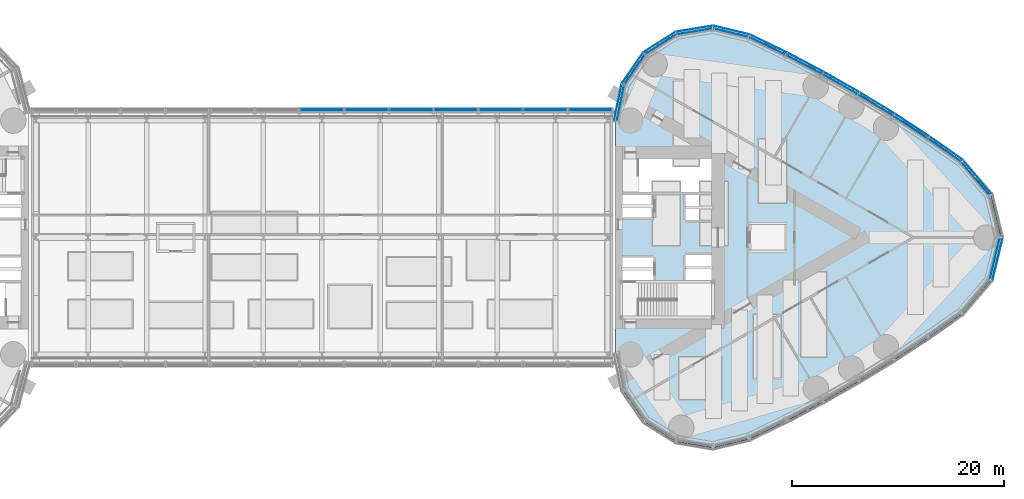
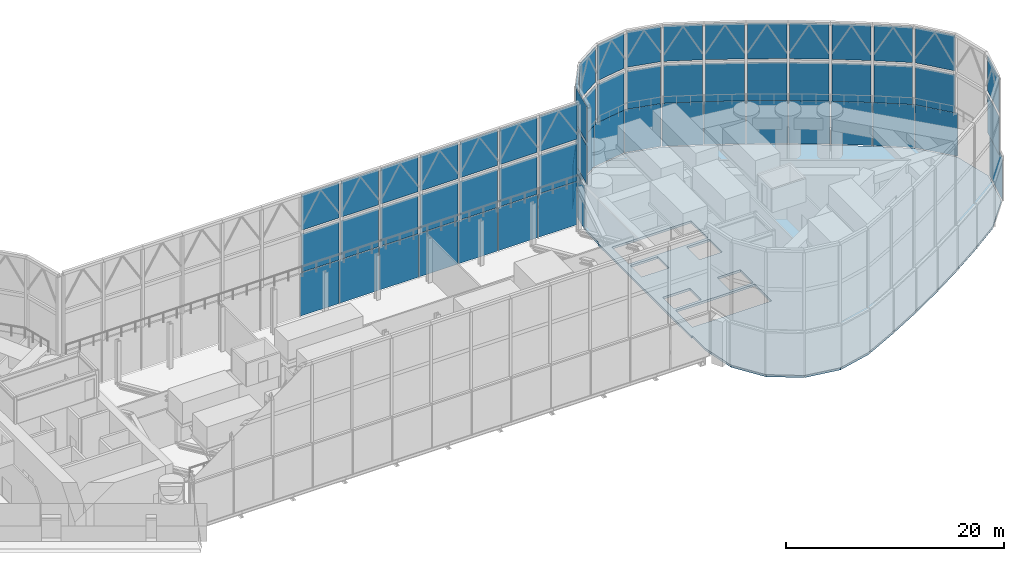
# One storey, part 25 of 33: 60 plates, 1 slab, 4 elements without a shape of their own.
"""IFC4 building model written with IfcOpenShell, lengths in metres."""

from ifc_helpers import new_model, si_unit, direction, frame, origin, origin_2d, place, context, subcontext, project, spatial, polyline, rectangle, outline, extrude, material, layer, layer_set, type_object, element, aggregate, save


model = new_model("IFC4")

# Units and contexts
model_context = context("Model", 3, precision=1e-05, world=origin(), true_north=direction((0.0, 1.0)))
body_context = subcontext(model_context, "Body", "Model", "MODEL_VIEW")
ifc_project = project(units=[si_unit("LENGTHUNIT", "METRE"), si_unit("AREAUNIT", "SQUARE_METRE"), si_unit("VOLUMEUNIT", "CUBIC_METRE"), si_unit("PLANEANGLEUNIT", "RADIAN"), si_unit("MASSUNIT", "GRAM", prefix="KILO")], contexts=[model_context])

# Site, building, storey
site_placement = place(None, origin())
site = spatial("IfcSite", under=ifc_project, at=site_placement, CompositionType="ELEMENT")
building_placement = place(site_placement, origin())
building = spatial("IfcBuilding", under=site, at=building_placement, Name="Lancet Gate Hotel", CompositionType="ELEMENT")
storey_placement = place(building_placement, frame((0.0, 0.0, 268.300048828125)))
storey = spatial("IfcBuildingStorey", under=building, at=storey_placement, Name="L70", CompositionType="ELEMENT", Elevation=268.300048828125)

# Slab
ifc_material_1 = material(Name="Concrete C50/60", Category="concrete")
ifc_layer_1 = layer(ifc_material_1, 0.25)
ifc_layer_set_1 = layer_set([ifc_layer_1], Name="Floor slab 250")
slab_type = type_object("IfcSlabType", Name="Floor slab 250", PredefinedType="FLOOR", material=ifc_layer_set_1)
slab_placement = place(storey_placement, frame((0.0, 0.0, -0.25)))
element("IfcSlab", 1, at=slab_placement, inside=storey, type_object=slab_type, Name="T2 L70 floor slab", PredefinedType="FLOOR", context=body_context, shape_type="SweptSolid", body=[
    extrude(outline(polyline([(27.6201171875, -8.60009765625), (27.6201171875, -10.93603515625), (28.329345703125, -14.419677734375), (30.33740234375, -17.338134765625), (33.326904296875, -19.2392578125), (36.82177734375, -19.81982421875), (40.2763671875, -18.98486328125), (43.753662109375, -17.2890625), (47.18603515625, -15.47998046875), (50.5595703125, -13.56396484375), (53.87158203125, -11.54296875), (57.118408203125, -9.4189453125), (60.2861328125, -7.20166015625), (62.99658203125, -4.03759765625), (63.968017578125, 0.0), (62.99658203125, 4.03759765625), (60.2861328125, 7.20166015625), (57.118408203125, 9.4189453125), (53.87158203125, 11.54296875), (50.5595703125, 13.56396484375), (47.18603515625, 15.47998046875), (43.753662109375, 17.2890625), (40.2763671875, 18.98486328125), (36.82177734375, 19.81982421875), (33.326904296875, 19.2392578125), (30.33740234375, 17.338134765625), (28.329345703125, 14.419677734375), (27.6201171875, 10.93603515625), (27.6201171875, 8.60009765625), (27.5, 8.60009765625), (27.5, 8.199951171875), (27.5, -8.199951171875), (27.5, -8.60009765625), (27.6201171875, -8.60009765625)]), holes=[polyline([(28.300048828125, -7.39990234375), (36.699951171875, -7.39990234375), (36.699951171875, -4.300048828125), (28.300048828125, -4.300048828125), (28.300048828125, -7.39990234375)]), polyline([(28.300048828125, -1.89990234375), (28.300048828125, -4.0), (31.199951171875, -4.0), (31.199951171875, -1.89990234375), (28.300048828125, -1.89990234375)]), polyline([(34.25, -1.64990234375), (34.25, -4.0), (36.699951171875, -4.0), (36.699951171875, -1.64990234375), (34.25, -1.64990234375)]), polyline([(34.25, 1.64990234375), (36.699951171875, 1.64990234375), (36.699951171875, 4.0), (34.25, 4.0), (34.25, 1.64990234375)]), polyline([(28.300048828125, 4.0), (28.300048828125, 1.89990234375), (31.199951171875, 1.89990234375), (31.199951171875, 4.0), (28.300048828125, 4.0)]), polyline([(28.300048828125, 7.39990234375), (28.300048828125, 4.300048828125), (36.699951171875, 4.300048828125), (36.699951171875, 7.39990234375), (28.300048828125, 7.39990234375)])]), origin(), (0.0, 0.0, 1.0), 0.25),
])

# Curtain wall, plates
ifc_material_2 = material(Name="Aluminium curtain wall", Category="aluminium")
curtain_wall_type_1 = type_object("IfcCurtainWallType", Name="Lantern crown glazing", PredefinedType="USERDEFINED", material=ifc_material_2)
curtain_wall_1_placement = place(storey_placement, origin())
curtain_wall_1 = element("IfcCurtainWall", 2, at=curtain_wall_1_placement, inside=storey, type_object=curtain_wall_type_1, Name="T2 L70 curtain wall 1", ObjectType="LANTERN GLAZING", PredefinedType="USERDEFINED")
ifc_material_3 = material(Name="Laminated low-iron glass 12-12", Category="glass")
ifc_layer_2 = layer(ifc_material_3, 0.02392578125)
ifc_layer_set_2 = layer_set([ifc_layer_2], Name="Lantern glass panel")
plate_type_1 = type_object("IfcPlateType", Name="Lantern glass panel", PredefinedType="CURTAIN_PANEL", material=ifc_layer_set_2)
plate_1_placement = place(storey_placement, frame((63.598876953125, -2.046875, 0.0), z_axis=(0.0, 0.0, 1.0), x_axis=(0.233916001796, 0.972256809749, 0.0)))
plate_1 = element("IfcPlate", 3, at=plate_1_placement, type_object=plate_type_1, Name="T2 L70 curtain wall 1 panel 13", PredefinedType="CURTAIN_PANEL", context=body_context, shape_type="SweptSolid", body=[
    extrude(rectangle(XDim=4.1455078125, YDim=0.02392578125, at=origin_2d()), origin(), (0.0, 0.0, 1.0), 4.85009765625),
])
plate_2_placement = place(storey_placement, frame((61.737060546875, 5.692626953125, 0.0), z_axis=(0.0, 0.0, 1.0), x_axis=(-0.650551562434, 0.759462088991, 0.0)))
plate_2 = element("IfcPlate", 4, at=plate_2_placement, type_object=plate_type_1, Name="T2 L70 curtain wall 1 panel 15", PredefinedType="CURTAIN_PANEL", context=body_context, shape_type="SweptSolid", body=[
    extrude(rectangle(XDim=4.1455078125, YDim=0.02392578125, at=origin_2d()), origin(), (0.0, 0.0, 1.0), 4.85009765625),
])
plate_3_placement = place(storey_placement, frame((58.776611328125, 8.40478515625, 0.0), z_axis=(0.0, 0.0, 1.0), x_axis=(-0.819255034386, 0.573429323137, 0.0)))
plate_3 = element("IfcPlate", 5, at=plate_3_placement, type_object=plate_type_1, Name="T2 L70 curtain wall 1 panel 16", PredefinedType="CURTAIN_PANEL", context=body_context, shape_type="SweptSolid", body=[
    extrude(rectangle(XDim=3.818603515625, YDim=0.02392578125, at=origin_2d()), origin(), (0.0, 0.0, 1.0), 4.85009765625),
])
plate_4_placement = place(storey_placement, frame((55.560791015625, 10.581298828125, 0.0), z_axis=(0.0, 0.0, 1.0), x_axis=(-0.83685031771, 0.547431772688, 0.0)))
plate_4 = element("IfcPlate", 6, at=plate_4_placement, type_object=plate_type_1, Name="T2 L70 curtain wall 1 panel 17", PredefinedType="CURTAIN_PANEL", context=body_context, shape_type="SweptSolid", body=[
    extrude(rectangle(XDim=3.818603515625, YDim=0.02392578125, at=origin_2d()), origin(), (0.0, 0.0, 1.0), 4.85009765625),
])
plate_5_placement = place(storey_placement, frame((52.278076171875, 12.65576171875, 0.0), z_axis=(0.0, 0.0, 1.0), x_axis=(-0.853620912967, 0.520894746513, 0.0)))
plate_5 = element("IfcPlate", 7, at=plate_5_placement, type_object=plate_type_1, Name="T2 L70 curtain wall 1 panel 18", PredefinedType="CURTAIN_PANEL", context=body_context, shape_type="SweptSolid", body=[
    extrude(rectangle(XDim=3.818603515625, YDim=0.02392578125, at=origin_2d()), origin(), (0.0, 0.0, 1.0), 4.85009765625),
])
plate_6_placement = place(storey_placement, frame((48.93212890625, 14.626220703125, 0.0), z_axis=(0.0, 0.0, 1.0), x_axis=(-0.869550293306, 0.493844395951, 0.0)))
plate_6 = element("IfcPlate", 8, at=plate_6_placement, type_object=plate_type_1, Name="T2 L70 curtain wall 1 panel 19", PredefinedType="CURTAIN_PANEL", context=body_context, shape_type="SweptSolid", body=[
    extrude(rectangle(XDim=3.818603515625, YDim=0.02392578125, at=origin_2d()), origin(), (0.0, 0.0, 1.0), 4.85009765625),
])
plate_7_placement = place(storey_placement, frame((45.52587890625, 16.49072265625, 0.0), z_axis=(0.0, 0.0, 1.0), x_axis=(-0.884622760861, 0.466307378204, 0.0)))
plate_7 = element("IfcPlate", 9, at=plate_7_placement, type_object=plate_type_1, Name="T2 L70 curtain wall 1 panel 20", PredefinedType="CURTAIN_PANEL", context=body_context, shape_type="SweptSolid", body=[
    extrude(rectangle(XDim=3.818603515625, YDim=0.02392578125, at=origin_2d()), origin(), (0.0, 0.0, 1.0), 4.85009765625),
])
plate_8_placement = place(storey_placement, frame((42.062744140625, 18.247314453125, 0.0), z_axis=(0.0, 0.0, 1.0), x_axis=(-0.898823462202, 0.438310830114, 0.0)))
plate_8 = element("IfcPlate", 10, at=plate_8_placement, type_object=plate_type_1, Name="T2 L70 curtain wall 1 panel 21", PredefinedType="CURTAIN_PANEL", context=body_context, shape_type="SweptSolid", body=[
    extrude(rectangle(XDim=3.818603515625, YDim=0.02392578125, at=origin_2d()), origin(), (0.0, 0.0, 1.0), 4.85009765625),
])
plate_9_placement = place(storey_placement, frame((38.57177734375, 19.520263671875, 0.0), z_axis=(0.0, 0.0, 1.0), x_axis=(-0.972013837597, 0.234923603582, 0.0)))
plate_9 = element("IfcPlate", 11, at=plate_9_placement, type_object=plate_type_1, Name="T2 L70 curtain wall 1 panel 22", PredefinedType="CURTAIN_PANEL", context=body_context, shape_type="SweptSolid", body=[
    extrude(rectangle(XDim=3.526611328125, YDim=0.02392578125, at=origin_2d()), origin(), (0.0, 0.0, 1.0), 4.85009765625),
])
plate_10_placement = place(storey_placement, frame((35.0546875, 19.64794921875, 0.0), z_axis=(0.0, 0.0, 1.0), x_axis=(-0.986480101775, -0.163881081283, 0.0)))
plate_10 = element("IfcPlate", 12, at=plate_10_placement, type_object=plate_type_1, Name="T2 L70 curtain wall 1 panel 23", PredefinedType="CURTAIN_PANEL", context=body_context, shape_type="SweptSolid", body=[
    extrude(rectangle(XDim=3.526611328125, YDim=0.02392578125, at=origin_2d()), origin(), (0.0, 0.0, 1.0), 4.85009765625),
])
plate_11_placement = place(storey_placement, frame((31.767822265625, 18.389892578125, 0.0), z_axis=(0.0, 0.0, 1.0), x_axis=(-0.843845020422, -0.536586974785, 0.0)))
plate_11 = element("IfcPlate", 13, at=plate_11_placement, type_object=plate_type_1, Name="T2 L70 curtain wall 1 panel 24", PredefinedType="CURTAIN_PANEL", context=body_context, shape_type="SweptSolid", body=[
    extrude(rectangle(XDim=3.526611328125, YDim=0.02392578125, at=origin_2d()), origin(), (0.0, 0.0, 1.0), 4.85009765625),
])
plate_12_placement = place(storey_placement, frame((29.234619140625, 15.947021484375, 0.0), z_axis=(0.0, 0.0, 1.0), x_axis=(-0.566823864908, -0.823839005007, 0.0)))
plate_12 = element("IfcPlate", 14, at=plate_12_placement, type_object=plate_type_1, Name="T2 L70 curtain wall 1 panel 25", PredefinedType="CURTAIN_PANEL", context=body_context, shape_type="SweptSolid", body=[
    extrude(rectangle(XDim=3.526611328125, YDim=0.02392578125, at=origin_2d()), origin(), (0.0, 0.0, 1.0), 4.85009765625),
])
plate_13_placement = place(storey_placement, frame((27.8583984375, 12.707763671875, 0.0), z_axis=(0.0, 0.0, 1.0), x_axis=(-0.199533486841, -0.979891008036, 0.0)))
plate_13 = element("IfcPlate", 15, at=plate_13_placement, type_object=plate_type_1, Name="T2 L70 curtain wall 1 panel 26", PredefinedType="CURTAIN_PANEL", context=body_context, shape_type="SweptSolid", body=[
    extrude(rectangle(XDim=3.526611328125, YDim=0.02392578125, at=origin_2d()), origin(), (0.0, 0.0, 1.0), 4.85009765625),
])
aggregate(curtain_wall_1, [plate_1, plate_2, plate_3, plate_4, plate_5, plate_6, plate_7, plate_8, plate_9, plate_10, plate_11, plate_12, plate_13])

curtain_wall_2_placement = place(storey_placement, origin())
curtain_wall_2 = element("IfcCurtainWall", 16, at=curtain_wall_2_placement, inside=storey, type_object=curtain_wall_type_1, Name="Bridge block L70 curtain wall N", ObjectType="LANTERN GLAZING", PredefinedType="USERDEFINED")
plate_14_placement = place(storey_placement, frame((25.24609375, 12.1201171875, 0.0), z_axis=(0.0, 0.0, 1.0), x_axis=(-1.0, 0.0, 0.0)))
plate_14 = element("IfcPlate", 17, at=plate_14_placement, type_object=plate_type_1, Name="Bridge block L70 curtain wall N panel 1", PredefinedType="CURTAIN_PANEL", context=body_context, shape_type="SweptSolid", body=[
    extrude(rectangle(XDim=4.142578125, YDim=0.02392578125, at=origin_2d()), origin(), (0.0, 0.0, 1.0), 4.85009765625),
])
plate_15_placement = place(storey_placement, frame((21.03857421875, 12.1201171875, 0.0), z_axis=(0.0, 0.0, 1.0), x_axis=(-1.0, 0.0, 0.0)))
plate_15 = element("IfcPlate", 18, at=plate_15_placement, type_object=plate_type_1, Name="Bridge block L70 curtain wall N panel 2", PredefinedType="CURTAIN_PANEL", context=body_context, shape_type="SweptSolid", body=[
    extrude(rectangle(XDim=4.142578125, YDim=0.02392578125, at=origin_2d()), origin(), (0.0, 0.0, 1.0), 4.85009765625),
])
plate_16_placement = place(storey_placement, frame((16.830810546875, 12.1201171875, 0.0), z_axis=(0.0, 0.0, 1.0), x_axis=(-1.0, 0.0, 0.0)))
plate_16 = element("IfcPlate", 19, at=plate_16_placement, type_object=plate_type_1, Name="Bridge block L70 curtain wall N panel 3", PredefinedType="CURTAIN_PANEL", context=body_context, shape_type="SweptSolid", body=[
    extrude(rectangle(XDim=4.142578125, YDim=0.02392578125, at=origin_2d()), origin(), (0.0, 0.0, 1.0), 4.85009765625),
])
plate_17_placement = place(storey_placement, frame((12.623046875, 12.1201171875, 0.0), z_axis=(0.0, 0.0, 1.0), x_axis=(-1.0, 0.0, 0.0)))
plate_17 = element("IfcPlate", 20, at=plate_17_placement, type_object=plate_type_1, Name="Bridge block L70 curtain wall N panel 4", PredefinedType="CURTAIN_PANEL", context=body_context, shape_type="SweptSolid", body=[
    extrude(rectangle(XDim=4.142578125, YDim=0.02392578125, at=origin_2d()), origin(), (0.0, 0.0, 1.0), 4.85009765625),
])
plate_18_placement = place(storey_placement, frame((8.415283203125, 12.1201171875, 0.0), z_axis=(0.0, 0.0, 1.0), x_axis=(-1.0, 0.0, 0.0)))
plate_18 = element("IfcPlate", 21, at=plate_18_placement, type_object=plate_type_1, Name="Bridge block L70 curtain wall N panel 5", PredefinedType="CURTAIN_PANEL", context=body_context, shape_type="SweptSolid", body=[
    extrude(rectangle(XDim=4.142578125, YDim=0.02392578125, at=origin_2d()), origin(), (0.0, 0.0, 1.0), 4.85009765625),
])
plate_19_placement = place(storey_placement, frame((4.207763671875, 12.1201171875, 0.0), z_axis=(0.0, 0.0, 1.0), x_axis=(-1.0, 0.0, 0.0)))
plate_19 = element("IfcPlate", 22, at=plate_19_placement, type_object=plate_type_1, Name="Bridge block L70 curtain wall N panel 6", PredefinedType="CURTAIN_PANEL", context=body_context, shape_type="SweptSolid", body=[
    extrude(rectangle(XDim=4.142578125, YDim=0.02392578125, at=origin_2d()), origin(), (0.0, 0.0, 1.0), 4.85009765625),
])
plate_20_placement = place(storey_placement, frame((0.0, 12.1201171875, 0.0), z_axis=(0.0, 0.0, 1.0), x_axis=(-1.0, 0.0, 0.0)))
plate_20 = element("IfcPlate", 23, at=plate_20_placement, type_object=plate_type_1, Name="Bridge block L70 curtain wall N panel 7", PredefinedType="CURTAIN_PANEL", context=body_context, shape_type="SweptSolid", body=[
    extrude(rectangle(XDim=4.142578125, YDim=0.02392578125, at=origin_2d()), origin(), (0.0, 0.0, 1.0), 4.85009765625),
])
aggregate(curtain_wall_2, [plate_14, plate_15, plate_16, plate_17, plate_18, plate_19, plate_20])

ifc_material_4 = material(Name="Steel framed lantern screen", Category="steel")
curtain_wall_type_2 = type_object("IfcCurtainWallType", Name="Lantern screen", PredefinedType="USERDEFINED", material=ifc_material_4)
curtain_wall_3_placement = place(storey_placement, origin())
curtain_wall_3 = element("IfcCurtainWall", 24, at=curtain_wall_3_placement, inside=storey, type_object=curtain_wall_type_2, Name="T2 lantern screen 1", ObjectType="LANTERN SCREEN", PredefinedType="USERDEFINED")
ifc_material_5 = material(Name="Laminated low-iron glass 12-12", Category="glass")
ifc_layer_3 = layer(ifc_material_5, 0.02392578125)
ifc_layer_set_3 = layer_set([ifc_layer_3], Name="Lantern screen glass panel")
plate_type_2 = type_object("IfcPlateType", Name="Lantern screen glass panel", PredefinedType="CURTAIN_PANEL", material=ifc_layer_set_3)
plate_21_placement = place(storey_placement, frame((63.35595703125, -1.98828125, 5.0), z_axis=(0.0, 0.0, 1.0), x_axis=(0.233916001796, 0.972256809749, 0.0)))
plate_21 = element("IfcPlate", 25, at=plate_21_placement, type_object=plate_type_2, Name="T2 lantern screen 1 glass 13L", PredefinedType="CURTAIN_PANEL", context=body_context, shape_type="SweptSolid", body=[
    extrude(rectangle(XDim=3.787353515625, YDim=0.02392578125, at=origin_2d()), origin(), (0.0, 0.0, 1.0), 4.300048828125),
])
plate_22_placement = place(storey_placement, frame((63.35595703125, -1.98828125, 9.699951171875), z_axis=(0.0, 0.0, 1.0), x_axis=(0.233916001796, 0.972256809749, 0.0)))
plate_22 = element("IfcPlate", 26, at=plate_22_placement, type_object=plate_type_2, Name="T2 lantern screen 1 glass 13U", PredefinedType="CURTAIN_PANEL", context=body_context, shape_type="SweptSolid", body=[
    extrude(rectangle(XDim=3.787353515625, YDim=0.02392578125, at=origin_2d()), origin(), (0.0, 0.0, 1.0), 4.0),
])
plate_23_placement = place(storey_placement, frame((61.53369140625, 5.54541015625, 5.0), z_axis=(0.0, 0.0, 1.0), x_axis=(-0.650551562434, 0.759462088991, 0.0)))
plate_23 = element("IfcPlate", 27, at=plate_23_placement, type_object=plate_type_2, Name="T2 lantern screen 1 glass 15L", PredefinedType="CURTAIN_PANEL", context=body_context, shape_type="SweptSolid", body=[
    extrude(rectangle(XDim=3.828369140625, YDim=0.02392578125, at=origin_2d()), origin(), (0.0, 0.0, 1.0), 4.300048828125),
])
plate_24_placement = place(storey_placement, frame((61.53369140625, 5.54541015625, 9.699951171875), z_axis=(0.0, 0.0, 1.0), x_axis=(-0.650551562434, 0.759462088991, 0.0)))
plate_24 = element("IfcPlate", 28, at=plate_24_placement, type_object=plate_type_2, Name="T2 lantern screen 1 glass 15U", PredefinedType="CURTAIN_PANEL", context=body_context, shape_type="SweptSolid", body=[
    extrude(rectangle(XDim=3.828369140625, YDim=0.02392578125, at=origin_2d()), origin(), (0.0, 0.0, 1.0), 4.0),
])
plate_25_placement = place(storey_placement, frame((58.616943359375, 8.21142578125, 5.0), z_axis=(0.0, 0.0, 1.0), x_axis=(-0.819255034386, 0.573429323137, 0.0)))
plate_25 = element("IfcPlate", 29, at=plate_25_placement, type_object=plate_type_2, Name="T2 lantern screen 1 glass 16L", PredefinedType="CURTAIN_PANEL", context=body_context, shape_type="SweptSolid", body=[
    extrude(rectangle(XDim=3.58251953125, YDim=0.02392578125, at=origin_2d()), origin(), (0.0, 0.0, 1.0), 4.300048828125),
])
plate_26_placement = place(storey_placement, frame((58.616943359375, 8.21142578125, 9.699951171875), z_axis=(0.0, 0.0, 1.0), x_axis=(-0.819255034386, 0.573429323137, 0.0)))
plate_26 = element("IfcPlate", 30, at=plate_26_placement, type_object=plate_type_2, Name="T2 lantern screen 1 glass 16U", PredefinedType="CURTAIN_PANEL", context=body_context, shape_type="SweptSolid", body=[
    extrude(rectangle(XDim=3.58251953125, YDim=0.02392578125, at=origin_2d()), origin(), (0.0, 0.0, 1.0), 4.0),
])
plate_27_placement = place(storey_placement, frame((55.423828125, 10.3720703125, 5.0), z_axis=(0.0, 0.0, 1.0), x_axis=(-0.83685031771, 0.547431772688, 0.0)))
plate_27 = element("IfcPlate", 31, at=plate_27_placement, type_object=plate_type_2, Name="T2 lantern screen 1 glass 17L", PredefinedType="CURTAIN_PANEL", context=body_context, shape_type="SweptSolid", body=[
    extrude(rectangle(XDim=3.622314453125, YDim=0.02392578125, at=origin_2d()), origin(), (0.0, 0.0, 1.0), 4.300048828125),
])
plate_28_placement = place(storey_placement, frame((55.423828125, 10.3720703125, 9.699951171875), z_axis=(0.0, 0.0, 1.0), x_axis=(-0.83685031771, 0.547431772688, 0.0)))
plate_28 = element("IfcPlate", 32, at=plate_28_placement, type_object=plate_type_2, Name="T2 lantern screen 1 glass 17U", PredefinedType="CURTAIN_PANEL", context=body_context, shape_type="SweptSolid", body=[
    extrude(rectangle(XDim=3.622314453125, YDim=0.02392578125, at=origin_2d()), origin(), (0.0, 0.0, 1.0), 4.0),
])
plate_29_placement = place(storey_placement, frame((52.14794921875, 12.4423828125, 5.0), z_axis=(0.0, 0.0, 1.0), x_axis=(-0.853620912967, 0.520894746513, 0.0)))
plate_29 = element("IfcPlate", 33, at=plate_29_placement, type_object=plate_type_2, Name="T2 lantern screen 1 glass 18L", PredefinedType="CURTAIN_PANEL", context=body_context, shape_type="SweptSolid", body=[
    extrude(rectangle(XDim=3.622314453125, YDim=0.02392578125, at=origin_2d()), origin(), (0.0, 0.0, 1.0), 4.300048828125),
])
plate_30_placement = place(storey_placement, frame((52.14794921875, 12.4423828125, 9.699951171875), z_axis=(0.0, 0.0, 1.0), x_axis=(-0.853620912967, 0.520894746513, 0.0)))
plate_30 = element("IfcPlate", 34, at=plate_30_placement, type_object=plate_type_2, Name="T2 lantern screen 1 glass 18U", PredefinedType="CURTAIN_PANEL", context=body_context, shape_type="SweptSolid", body=[
    extrude(rectangle(XDim=3.622314453125, YDim=0.02392578125, at=origin_2d()), origin(), (0.0, 0.0, 1.0), 4.0),
])
plate_31_placement = place(storey_placement, frame((48.80859375, 14.408935546875, 5.0), z_axis=(0.0, 0.0, 1.0), x_axis=(-0.869550293306, 0.493844395951, 0.0)))
plate_31 = element("IfcPlate", 35, at=plate_31_placement, type_object=plate_type_2, Name="T2 lantern screen 1 glass 19L", PredefinedType="CURTAIN_PANEL", context=body_context, shape_type="SweptSolid", body=[
    extrude(rectangle(XDim=3.622314453125, YDim=0.02392578125, at=origin_2d()), origin(), (0.0, 0.0, 1.0), 4.300048828125),
])
plate_32_placement = place(storey_placement, frame((48.80859375, 14.408935546875, 9.699951171875), z_axis=(0.0, 0.0, 1.0), x_axis=(-0.869550293306, 0.493844395951, 0.0)))
plate_32 = element("IfcPlate", 36, at=plate_32_placement, type_object=plate_type_2, Name="T2 lantern screen 1 glass 19U", PredefinedType="CURTAIN_PANEL", context=body_context, shape_type="SweptSolid", body=[
    extrude(rectangle(XDim=3.622314453125, YDim=0.02392578125, at=origin_2d()), origin(), (0.0, 0.0, 1.0), 4.0),
])
plate_33_placement = place(storey_placement, frame((45.4091796875, 16.26953125, 5.0), z_axis=(0.0, 0.0, 1.0), x_axis=(-0.884622760861, 0.466307378204, 0.0)))
plate_33 = element("IfcPlate", 37, at=plate_33_placement, type_object=plate_type_2, Name="T2 lantern screen 1 glass 20L", PredefinedType="CURTAIN_PANEL", context=body_context, shape_type="SweptSolid", body=[
    extrude(rectangle(XDim=3.622314453125, YDim=0.02392578125, at=origin_2d()), origin(), (0.0, 0.0, 1.0), 4.300048828125),
])
plate_34_placement = place(storey_placement, frame((45.4091796875, 16.26953125, 9.699951171875), z_axis=(0.0, 0.0, 1.0), x_axis=(-0.884622760861, 0.466307378204, 0.0)))
plate_34 = element("IfcPlate", 38, at=plate_34_placement, type_object=plate_type_2, Name="T2 lantern screen 1 glass 20U", PredefinedType="CURTAIN_PANEL", context=body_context, shape_type="SweptSolid", body=[
    extrude(rectangle(XDim=3.622314453125, YDim=0.02392578125, at=origin_2d()), origin(), (0.0, 0.0, 1.0), 4.0),
])
plate_35_placement = place(storey_placement, frame((41.96826171875, 18.015380859375, 5.0), z_axis=(0.0, 0.0, 1.0), x_axis=(-0.898823462202, 0.438310830114, 0.0)))
plate_35 = element("IfcPlate", 39, at=plate_35_placement, type_object=plate_type_2, Name="T2 lantern screen 1 glass 21L", PredefinedType="CURTAIN_PANEL", context=body_context, shape_type="SweptSolid", body=[
    extrude(rectangle(XDim=3.5888671875, YDim=0.02392578125, at=origin_2d()), origin(), (0.0, 0.0, 1.0), 4.300048828125),
])
plate_36_placement = place(storey_placement, frame((41.96826171875, 18.015380859375, 9.699951171875), z_axis=(0.0, 0.0, 1.0), x_axis=(-0.898823462202, 0.438310830114, 0.0)))
plate_36 = element("IfcPlate", 40, at=plate_36_placement, type_object=plate_type_2, Name="T2 lantern screen 1 glass 21U", PredefinedType="CURTAIN_PANEL", context=body_context, shape_type="SweptSolid", body=[
    extrude(rectangle(XDim=3.5888671875, YDim=0.02392578125, at=origin_2d()), origin(), (0.0, 0.0, 1.0), 4.0),
])
plate_37_placement = place(storey_placement, frame((38.52978515625, 19.273193359375, 5.0), z_axis=(0.0, 0.0, 1.0), x_axis=(-0.972013837597, 0.234923603582, 0.0)))
plate_37 = element("IfcPlate", 41, at=plate_37_placement, type_object=plate_type_2, Name="T2 lantern screen 1 glass 22L", PredefinedType="CURTAIN_PANEL", context=body_context, shape_type="SweptSolid", body=[
    extrude(rectangle(XDim=3.229248046875, YDim=0.02392578125, at=origin_2d()), origin(), (0.0, 0.0, 1.0), 4.300048828125),
])
plate_38_placement = place(storey_placement, frame((38.52978515625, 19.273193359375, 9.699951171875), z_axis=(0.0, 0.0, 1.0), x_axis=(-0.972013837597, 0.234923603582, 0.0)))
plate_38 = element("IfcPlate", 42, at=plate_38_placement, type_object=plate_type_2, Name="T2 lantern screen 1 glass 22U", PredefinedType="CURTAIN_PANEL", context=body_context, shape_type="SweptSolid", body=[
    extrude(rectangle(XDim=3.229248046875, YDim=0.02392578125, at=origin_2d()), origin(), (0.0, 0.0, 1.0), 4.0),
])
plate_39_placement = place(storey_placement, frame((35.095703125, 19.4013671875, 5.0), z_axis=(0.0, 0.0, 1.0), x_axis=(-0.986480101775, -0.163881081283, 0.0)))
plate_39 = element("IfcPlate", 43, at=plate_39_placement, type_object=plate_type_2, Name="T2 lantern screen 1 glass 23L", PredefinedType="CURTAIN_PANEL", context=body_context, shape_type="SweptSolid", body=[
    extrude(rectangle(XDim=3.195068359375, YDim=0.02392578125, at=origin_2d()), origin(), (0.0, 0.0, 1.0), 4.300048828125),
])
plate_40_placement = place(storey_placement, frame((35.095703125, 19.4013671875, 9.699951171875), z_axis=(0.0, 0.0, 1.0), x_axis=(-0.986480101775, -0.163881081283, 0.0)))
plate_40 = element("IfcPlate", 44, at=plate_40_placement, type_object=plate_type_2, Name="T2 lantern screen 1 glass 23U", PredefinedType="CURTAIN_PANEL", context=body_context, shape_type="SweptSolid", body=[
    extrude(rectangle(XDim=3.195068359375, YDim=0.02392578125, at=origin_2d()), origin(), (0.0, 0.0, 1.0), 4.0),
])
plate_41_placement = place(storey_placement, frame((31.90185546875, 18.178955078125, 5.0), z_axis=(0.0, 0.0, 1.0), x_axis=(-0.843845020422, -0.536586974785, 0.0)))
plate_41 = element("IfcPlate", 45, at=plate_41_placement, type_object=plate_type_2, Name="T2 lantern screen 1 glass 24L", PredefinedType="CURTAIN_PANEL", context=body_context, shape_type="SweptSolid", body=[
    extrude(rectangle(XDim=3.195068359375, YDim=0.02392578125, at=origin_2d()), origin(), (0.0, 0.0, 1.0), 4.300048828125),
])
plate_42_placement = place(storey_placement, frame((31.90185546875, 18.178955078125, 9.699951171875), z_axis=(0.0, 0.0, 1.0), x_axis=(-0.843845020422, -0.536586974785, 0.0)))
plate_42 = element("IfcPlate", 46, at=plate_42_placement, type_object=plate_type_2, Name="T2 lantern screen 1 glass 24U", PredefinedType="CURTAIN_PANEL", context=body_context, shape_type="SweptSolid", body=[
    extrude(rectangle(XDim=3.195068359375, YDim=0.02392578125, at=origin_2d()), origin(), (0.0, 0.0, 1.0), 4.0),
])
plate_43_placement = place(storey_placement, frame((29.4404296875, 15.80517578125, 5.0), z_axis=(0.0, 0.0, 1.0), x_axis=(-0.566823864908, -0.823839005007, 0.0)))
plate_43 = element("IfcPlate", 47, at=plate_43_placement, type_object=plate_type_2, Name="T2 lantern screen 1 glass 25L", PredefinedType="CURTAIN_PANEL", context=body_context, shape_type="SweptSolid", body=[
    extrude(rectangle(XDim=3.195068359375, YDim=0.02392578125, at=origin_2d()), origin(), (0.0, 0.0, 1.0), 4.300048828125),
])
plate_44_placement = place(storey_placement, frame((29.4404296875, 15.80517578125, 9.699951171875), z_axis=(0.0, 0.0, 1.0), x_axis=(-0.566823864908, -0.823839005007, 0.0)))
plate_44 = element("IfcPlate", 48, at=plate_44_placement, type_object=plate_type_2, Name="T2 lantern screen 1 glass 25U", PredefinedType="CURTAIN_PANEL", context=body_context, shape_type="SweptSolid", body=[
    extrude(rectangle(XDim=3.195068359375, YDim=0.02392578125, at=origin_2d()), origin(), (0.0, 0.0, 1.0), 4.0),
])
plate_45_placement = place(storey_placement, frame((28.095947265625, 12.6220703125, 5.0), z_axis=(0.0, 0.0, 1.0), x_axis=(-0.199533486841, -0.979891008036, 0.0)))
plate_45 = element("IfcPlate", 49, at=plate_45_placement, type_object=plate_type_2, Name="T2 lantern screen 1 glass 26L", PredefinedType="CURTAIN_PANEL", context=body_context, shape_type="SweptSolid", body=[
    extrude(rectangle(XDim=3.268310546875, YDim=0.02392578125, at=origin_2d()), origin(), (0.0, 0.0, 1.0), 4.300048828125),
])
plate_46_placement = place(storey_placement, frame((28.095947265625, 12.6220703125, 9.699951171875), z_axis=(0.0, 0.0, 1.0), x_axis=(-0.199533486841, -0.979891008036, 0.0)))
plate_46 = element("IfcPlate", 50, at=plate_46_placement, type_object=plate_type_2, Name="T2 lantern screen 1 glass 26U", PredefinedType="CURTAIN_PANEL", context=body_context, shape_type="SweptSolid", body=[
    extrude(rectangle(XDim=3.268310546875, YDim=0.02392578125, at=origin_2d()), origin(), (0.0, 0.0, 1.0), 4.0),
])
aggregate(curtain_wall_3, [plate_21, plate_22, plate_23, plate_24, plate_25, plate_26, plate_27, plate_28, plate_29, plate_30, plate_31, plate_32, plate_33, plate_34, plate_35, plate_36, plate_37, plate_38, plate_39, plate_40, plate_41, plate_42, plate_43, plate_44, plate_45, plate_46])

curtain_wall_4_placement = place(storey_placement, origin())
curtain_wall_4 = element("IfcCurtainWall", 51, at=curtain_wall_4_placement, inside=storey, type_object=curtain_wall_type_2, Name="Bridge block lantern screen N", ObjectType="LANTERN SCREEN", PredefinedType="USERDEFINED")
plate_47_placement = place(storey_placement, frame((25.24609375, 11.989990234375, 5.0), z_axis=(0.0, 0.0, 1.0), x_axis=(-1.0, 0.0, 0.0)))
plate_47 = element("IfcPlate", 52, at=plate_47_placement, type_object=plate_type_2, Name="Bridge block lantern screen N glass 1L", PredefinedType="CURTAIN_PANEL", context=body_context, shape_type="SweptSolid", body=[
    extrude(rectangle(XDim=3.957763671875, YDim=0.02392578125, at=origin_2d()), origin(), (0.0, 0.0, 1.0), 4.300048828125),
])
plate_48_placement = place(storey_placement, frame((25.24609375, 11.989990234375, 9.699951171875), z_axis=(0.0, 0.0, 1.0), x_axis=(-1.0, 0.0, 0.0)))
plate_48 = element("IfcPlate", 53, at=plate_48_placement, type_object=plate_type_2, Name="Bridge block lantern screen N glass 1U", PredefinedType="CURTAIN_PANEL", context=body_context, shape_type="SweptSolid", body=[
    extrude(rectangle(XDim=3.957763671875, YDim=0.02392578125, at=origin_2d()), origin(), (0.0, 0.0, 1.0), 4.0),
])
plate_49_placement = place(storey_placement, frame((21.03857421875, 11.989990234375, 5.0), z_axis=(0.0, 0.0, 1.0), x_axis=(-1.0, 0.0, 0.0)))
plate_49 = element("IfcPlate", 54, at=plate_49_placement, type_object=plate_type_2, Name="Bridge block lantern screen N glass 2L", PredefinedType="CURTAIN_PANEL", context=body_context, shape_type="SweptSolid", body=[
    extrude(rectangle(XDim=3.957763671875, YDim=0.02392578125, at=origin_2d()), origin(), (0.0, 0.0, 1.0), 4.300048828125),
])
plate_50_placement = place(storey_placement, frame((21.03857421875, 11.989990234375, 9.699951171875), z_axis=(0.0, 0.0, 1.0), x_axis=(-1.0, 0.0, 0.0)))
plate_50 = element("IfcPlate", 55, at=plate_50_placement, type_object=plate_type_2, Name="Bridge block lantern screen N glass 2U", PredefinedType="CURTAIN_PANEL", context=body_context, shape_type="SweptSolid", body=[
    extrude(rectangle(XDim=3.957763671875, YDim=0.02392578125, at=origin_2d()), origin(), (0.0, 0.0, 1.0), 4.0),
])
plate_51_placement = place(storey_placement, frame((16.830810546875, 11.989990234375, 5.0), z_axis=(0.0, 0.0, 1.0), x_axis=(-1.0, 0.0, 0.0)))
plate_51 = element("IfcPlate", 56, at=plate_51_placement, type_object=plate_type_2, Name="Bridge block lantern screen N glass 3L", PredefinedType="CURTAIN_PANEL", context=body_context, shape_type="SweptSolid", body=[
    extrude(rectangle(XDim=3.957763671875, YDim=0.02392578125, at=origin_2d()), origin(), (0.0, 0.0, 1.0), 4.300048828125),
])
plate_52_placement = place(storey_placement, frame((16.830810546875, 11.989990234375, 9.699951171875), z_axis=(0.0, 0.0, 1.0), x_axis=(-1.0, 0.0, 0.0)))
plate_52 = element("IfcPlate", 57, at=plate_52_placement, type_object=plate_type_2, Name="Bridge block lantern screen N glass 3U", PredefinedType="CURTAIN_PANEL", context=body_context, shape_type="SweptSolid", body=[
    extrude(rectangle(XDim=3.957763671875, YDim=0.02392578125, at=origin_2d()), origin(), (0.0, 0.0, 1.0), 4.0),
])
plate_53_placement = place(storey_placement, frame((12.623046875, 11.989990234375, 5.0), z_axis=(0.0, 0.0, 1.0), x_axis=(-1.0, 0.0, 0.0)))
plate_53 = element("IfcPlate", 58, at=plate_53_placement, type_object=plate_type_2, Name="Bridge block lantern screen N glass 4L", PredefinedType="CURTAIN_PANEL", context=body_context, shape_type="SweptSolid", body=[
    extrude(rectangle(XDim=3.957763671875, YDim=0.02392578125, at=origin_2d()), origin(), (0.0, 0.0, 1.0), 4.300048828125),
])
plate_54_placement = place(storey_placement, frame((12.623046875, 11.989990234375, 9.699951171875), z_axis=(0.0, 0.0, 1.0), x_axis=(-1.0, 0.0, 0.0)))
plate_54 = element("IfcPlate", 59, at=plate_54_placement, type_object=plate_type_2, Name="Bridge block lantern screen N glass 4U", PredefinedType="CURTAIN_PANEL", context=body_context, shape_type="SweptSolid", body=[
    extrude(rectangle(XDim=3.957763671875, YDim=0.02392578125, at=origin_2d()), origin(), (0.0, 0.0, 1.0), 4.0),
])
plate_55_placement = place(storey_placement, frame((8.415283203125, 11.989990234375, 5.0), z_axis=(0.0, 0.0, 1.0), x_axis=(-1.0, 0.0, 0.0)))
plate_55 = element("IfcPlate", 60, at=plate_55_placement, type_object=plate_type_2, Name="Bridge block lantern screen N glass 5L", PredefinedType="CURTAIN_PANEL", context=body_context, shape_type="SweptSolid", body=[
    extrude(rectangle(XDim=3.957763671875, YDim=0.02392578125, at=origin_2d()), origin(), (0.0, 0.0, 1.0), 4.300048828125),
])
plate_56_placement = place(storey_placement, frame((8.415283203125, 11.989990234375, 9.699951171875), z_axis=(0.0, 0.0, 1.0), x_axis=(-1.0, 0.0, 0.0)))
plate_56 = element("IfcPlate", 61, at=plate_56_placement, type_object=plate_type_2, Name="Bridge block lantern screen N glass 5U", PredefinedType="CURTAIN_PANEL", context=body_context, shape_type="SweptSolid", body=[
    extrude(rectangle(XDim=3.957763671875, YDim=0.02392578125, at=origin_2d()), origin(), (0.0, 0.0, 1.0), 4.0),
])
plate_57_placement = place(storey_placement, frame((4.207763671875, 11.989990234375, 5.0), z_axis=(0.0, 0.0, 1.0), x_axis=(-1.0, 0.0, 0.0)))
plate_57 = element("IfcPlate", 62, at=plate_57_placement, type_object=plate_type_2, Name="Bridge block lantern screen N glass 6L", PredefinedType="CURTAIN_PANEL", context=body_context, shape_type="SweptSolid", body=[
    extrude(rectangle(XDim=3.957763671875, YDim=0.02392578125, at=origin_2d()), origin(), (0.0, 0.0, 1.0), 4.300048828125),
])
plate_58_placement = place(storey_placement, frame((4.207763671875, 11.989990234375, 9.699951171875), z_axis=(0.0, 0.0, 1.0), x_axis=(-1.0, 0.0, 0.0)))
plate_58 = element("IfcPlate", 63, at=plate_58_placement, type_object=plate_type_2, Name="Bridge block lantern screen N glass 6U", PredefinedType="CURTAIN_PANEL", context=body_context, shape_type="SweptSolid", body=[
    extrude(rectangle(XDim=3.957763671875, YDim=0.02392578125, at=origin_2d()), origin(), (0.0, 0.0, 1.0), 4.0),
])
plate_59_placement = place(storey_placement, frame((0.0, 11.989990234375, 5.0), z_axis=(0.0, 0.0, 1.0), x_axis=(-1.0, 0.0, 0.0)))
plate_59 = element("IfcPlate", 64, at=plate_59_placement, type_object=plate_type_2, Name="Bridge block lantern screen N glass 7L", PredefinedType="CURTAIN_PANEL", context=body_context, shape_type="SweptSolid", body=[
    extrude(rectangle(XDim=3.957763671875, YDim=0.02392578125, at=origin_2d()), origin(), (0.0, 0.0, 1.0), 4.300048828125),
])
plate_60_placement = place(storey_placement, frame((0.0, 11.989990234375, 9.699951171875), z_axis=(0.0, 0.0, 1.0), x_axis=(-1.0, 0.0, 0.0)))
plate_60 = element("IfcPlate", 65, at=plate_60_placement, type_object=plate_type_2, Name="Bridge block lantern screen N glass 7U", PredefinedType="CURTAIN_PANEL", context=body_context, shape_type="SweptSolid", body=[
    extrude(rectangle(XDim=3.957763671875, YDim=0.02392578125, at=origin_2d()), origin(), (0.0, 0.0, 1.0), 4.0),
])
aggregate(curtain_wall_4, [plate_47, plate_48, plate_49, plate_50, plate_51, plate_52, plate_53, plate_54, plate_55, plate_56, plate_57, plate_58, plate_59, plate_60])

save(model, "model.ifc")
